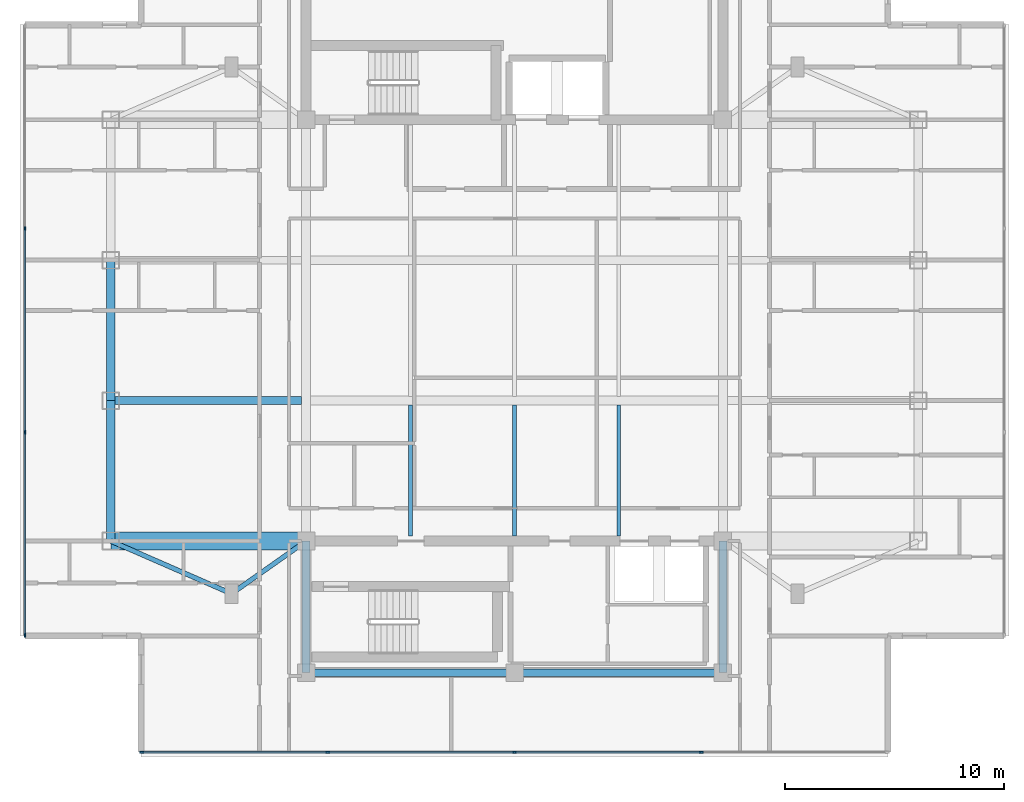
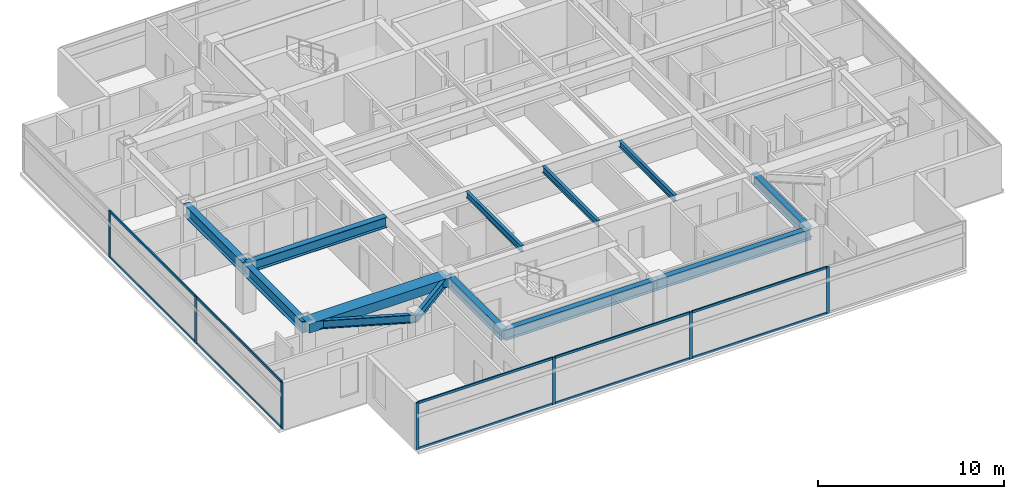
# One storey, part 2 of 14: 17 members, 13 beams, 2 elements without a shape of their own.
"""IFC4 building model written with IfcOpenShell, lengths in metres."""

from ifc_helpers import new_model, si_unit, direction, frame, origin, origin_2d, place, context, subcontext, project, spatial, rectangle, i_section, extrude, material, material_profile, profile_set, type_object, element, aggregate, save


model = new_model("IFC4")

# Units and contexts
model_context = context("Model", 3, precision=1e-05, world=origin(), true_north=direction((0.0, 1.0)))
body_context = subcontext(model_context, "Body", "Model", "MODEL_VIEW")
ifc_project = project(units=[si_unit("LENGTHUNIT", "METRE"), si_unit("AREAUNIT", "SQUARE_METRE"), si_unit("VOLUMEUNIT", "CUBIC_METRE"), si_unit("PLANEANGLEUNIT", "RADIAN"), si_unit("MASSUNIT", "GRAM", prefix="KILO")], contexts=[model_context])

# Site, building, storey
site_placement = place(None, origin())
site = spatial("IfcSite", under=ifc_project, at=site_placement, CompositionType="ELEMENT")
building_placement = place(site_placement, origin())
building = spatial("IfcBuilding", under=site, at=building_placement, Name="Mirazonda Arch Towers", CompositionType="ELEMENT")
storey_placement = place(building_placement, frame((0.0, 0.0, 245.800048828125)))
storey = spatial("IfcBuildingStorey", under=building, at=storey_placement, Name="L70", CompositionType="ELEMENT", Elevation=245.800048828125)

# Beams
ifc_material_1 = material(Name="Steel ASTM A992 Grade 50", Category="steel")
ifc_material_profile_1 = material_profile(ifc_material_1, i_section(OverallWidth=0.381103515625, OverallDepth=0.77294921875, WebThickness=0.0166015625, FlangeThickness=0.027099609375, at=origin_2d()), Name="W30X173")
ifc_profile_set_1 = profile_set([ifc_material_profile_1], Name="Steel ASTM A992 Grade 50")
beam_type_1 = type_object("IfcBeamType", Name="BM-EXT-W30X173", PredefinedType="USERDEFINED", material=ifc_profile_set_1)
beam_1_placement = place(storey_placement, frame((2.10009765625, 18.39990234375, 2.71337890625), z_axis=(0.0, 1.0, 0.0), x_axis=(-1.0, 0.0, 0.0)))
element("IfcBeam", 1, at=beam_1_placement, inside=storey, type_object=beam_type_1, Name="L70 Floor Beam BM-T1-L70-NS-W-18", ObjectType="GIRDER", PredefinedType="USERDEFINED", context=body_context, shape_type="SweptSolid", body=[
    extrude(i_section(OverallWidth=0.381103515625, OverallDepth=0.77294921875, WebThickness=0.0166015625, FlangeThickness=0.027099609375, at=origin_2d()), origin(), (0.0, 0.0, 1.0), 6.400146484375),
])
beam_2_placement = place(storey_placement, frame((2.10009765625, 24.800048828125, 2.71337890625), z_axis=(0.0, 1.0, 0.0), x_axis=(-1.0, 0.0, 0.0)))
element("IfcBeam", 2, at=beam_2_placement, inside=storey, type_object=beam_type_1, Name="L70 Floor Beam BM-T1-L70-NS-W-24", ObjectType="GIRDER", PredefinedType="USERDEFINED", context=body_context, shape_type="SweptSolid", body=[
    extrude(i_section(OverallWidth=0.381103515625, OverallDepth=0.77294921875, WebThickness=0.0166015625, FlangeThickness=0.027099609375, at=origin_2d()), origin(), (0.0, 0.0, 1.0), 6.39990234375),
])
ifc_material_profile_2 = material_profile(ifc_material_1, i_section(OverallWidth=0.180908203125, OverallDepth=0.4169921875, WebThickness=0.010986328125, FlangeThickness=0.018310546875, at=origin_2d()), Name="W16X57")
ifc_profile_set_2 = profile_set([ifc_material_profile_2], Name="Steel ASTM A992 Grade 50")
beam_type_2 = type_object("IfcBeamType", Name="BM-INT-W16X57", PredefinedType="JOIST", material=ifc_profile_set_2)
for number, where, z_axis, x_axis, name in (
    (3, (15.75, 18.639892578125, 2.891357421875), (0.0, 1.0, 0.0), (-1.0, 0.0, 0.0), "L70 Floor Beam BM-T1-L70-J-157-18"),
    (4, (20.5, 18.639892578125, 2.891357421875), (0.0, 1.0, 0.0), (-1.0, 0.0, 0.0), "L70 Floor Beam BM-T1-L70-J-205-18"),
    (5, (25.25, 18.639892578125, 2.891357421875), (0.0, 1.0, 0.0), (-1.0, 0.0, 0.0), "L70 Floor Beam BM-T1-L70-J-252-18"),
):
    element("IfcBeam", number, at=place(storey_placement, frame(where, z_axis=z_axis, x_axis=x_axis)), inside=storey, type_object=beam_type_2, Name=name, PredefinedType="JOIST", context=body_context, shape_type="SweptSolid", body=[
        extrude(i_section(OverallWidth=0.180908203125, OverallDepth=0.4169921875, WebThickness=0.010986328125, FlangeThickness=0.018310546875, at=origin_2d()), origin(), (0.0, 0.0, 1.0), 5.964111328125),
    ])
ifc_material_profile_3 = material_profile(ifc_material_1, i_section(OverallWidth=0.214111328125, OverallDepth=0.549072265625, WebThickness=0.0146484375, FlangeThickness=0.023681640625, at=origin_2d()), Name="W21X93")
ifc_profile_set_3 = profile_set([ifc_material_profile_3], Name="Steel ASTM A992 Grade 50")
beam_type_3 = type_object("IfcBeamType", Name="BM-INT-W21X93", PredefinedType="BEAM", material=ifc_profile_set_3)
beam_3_placement = place(storey_placement, frame((7.60009765625, 16.0, 2.825439453125), z_axis=(0.816971114901, 0.576678591087, 0.0), x_axis=(-0.576678591087, 0.816971114901, 0.0)))
element("IfcBeam", 6, at=beam_3_placement, inside=storey, type_object=beam_type_3, Name="L70 Floor Beam BM-T1-L70-PL-SW1", PredefinedType="BEAM", context=body_context, shape_type="SweptSolid", body=[
    extrude(i_section(OverallWidth=0.214111328125, OverallDepth=0.549072265625, WebThickness=0.0146484375, FlangeThickness=0.023681640625, at=origin_2d()), origin(), (0.0, 0.0, 1.0), 4.16162109375),
])
beam_4_placement = place(storey_placement, frame((7.60009765625, 16.0, 2.825439453125), z_axis=(-0.916545343703, 0.399930785183, 0.0), x_axis=(-0.399930785183, -0.916545343703, 0.0)))
element("IfcBeam", 7, at=beam_4_placement, inside=storey, type_object=beam_type_3, Name="L70 Floor Beam BM-T1-L70-PL-SW2", PredefinedType="BEAM", context=body_context, shape_type="SweptSolid", body=[
    extrude(i_section(OverallWidth=0.214111328125, OverallDepth=0.549072265625, WebThickness=0.0146484375, FlangeThickness=0.023681640625, at=origin_2d()), origin(), (0.0, 0.0, 1.0), 6.000732421875),
])
ifc_material_profile_4 = material_profile(ifc_material_1, i_section(OverallWidth=0.35498046875, OverallDepth=0.696044921875, WebThickness=0.015380859375, FlangeThickness=0.02490234375, at=origin_2d()), Name="W27X146")
ifc_profile_set_4 = profile_set([ifc_material_profile_4], Name="Steel ASTM A992 Grade 50")
beam_type_4 = type_object("IfcBeamType", Name="BM-INT-W27X146", PredefinedType="BEAM", material=ifc_profile_set_4)
beam_5_placement = place(storey_placement, frame((2.10009765625, 24.800048828125, 2.751953125), z_axis=(1.0, 0.0, 0.0), x_axis=(0.0, 1.0, 0.0)))
element("IfcBeam", 8, at=beam_5_placement, inside=storey, type_object=beam_type_4, Name="L70 Floor Beam BM-T1-L70-GW2", PredefinedType="BEAM", context=body_context, shape_type="SweptSolid", body=[
    extrude(i_section(OverallWidth=0.35498046875, OverallDepth=0.696044921875, WebThickness=0.015380859375, FlangeThickness=0.02490234375, at=origin_2d()), origin(), (0.0, 0.0, 1.0), 8.699951171875),
])
for number, where, z_axis, x_axis, name in (
    (9, (11.0, 12.39990234375, 2.751953125), (1.0, 0.0, 0.0), (0.0, 1.0, 0.0), "L70 Floor Beam BM-T1-L70-CS1"),
    (10, (20.5, 12.39990234375, 2.751953125), (1.0, 0.0, 0.0), (0.0, 1.0, 0.0), "L70 Floor Beam BM-T1-L70-CS2"),
):
    element("IfcBeam", number, at=place(storey_placement, frame(where, z_axis=z_axis, x_axis=x_axis)), inside=storey, type_object=beam_type_4, Name=name, PredefinedType="BEAM", context=body_context, shape_type="SweptSolid", body=[
        extrude(i_section(OverallWidth=0.35498046875, OverallDepth=0.696044921875, WebThickness=0.015380859375, FlangeThickness=0.02490234375, at=origin_2d()), origin(), (0.0, 0.0, 1.0), 9.5),
    ])
for number, where, z_axis, x_axis, name in (
    (11, (11.0, 12.39990234375, 2.751953125), (0.0, 1.0, 0.0), (-1.0, 0.0, 0.0), "L70 Floor Beam BM-T1-L70-CSW"),
    (12, (30.0, 12.39990234375, 2.751953125), (0.0, 1.0, 0.0), (-1.0, 0.0, 0.0), "L70 Floor Beam BM-T1-L70-CSE"),
):
    element("IfcBeam", number, at=place(storey_placement, frame(where, z_axis=z_axis, x_axis=x_axis)), inside=storey, type_object=beam_type_4, Name=name, PredefinedType="BEAM", context=body_context, shape_type="SweptSolid", body=[
        extrude(i_section(OverallWidth=0.35498046875, OverallDepth=0.696044921875, WebThickness=0.015380859375, FlangeThickness=0.02490234375, at=origin_2d()), origin(), (0.0, 0.0, 1.0), 6.0),
    ])
ifc_material_2 = material(Name="Concrete C60/75", Category="concrete")
ifc_material_profile_5 = material_profile(ifc_material_2, rectangle(XDim=0.800048828125, YDim=0.60009765625, at=origin_2d()), Name="RCCB800x600")
ifc_profile_set_5 = profile_set([ifc_material_profile_5], Name="Concrete C60/75")
beam_type_5 = type_object("IfcBeamType", Name="CB-INT-RCCB800x600", PredefinedType="SPANDREL", material=ifc_profile_set_5)
beam_6_placement = place(storey_placement, frame((2.10009765625, 18.39990234375, 2.800048828125), z_axis=(1.0, 0.0, 0.0), x_axis=(0.0, 1.0, 0.0)))
element("IfcBeam", 13, at=beam_6_placement, inside=storey, type_object=beam_type_5, Name="L70 Floor Beam CBC-T1-L70-SW", PredefinedType="SPANDREL", context=body_context, shape_type="SweptSolid", body=[
    extrude(rectangle(XDim=0.800048828125, YDim=0.60009765625, at=origin_2d()), origin(), (0.0, 0.0, 1.0), 8.89990234375),
])

# Curtain wall, members
ifc_material_3 = material(Name="Anodised Aluminium and Low-E Glass", Category="aluminium")
curtain_wall_type = type_object("IfcCurtainWallType", Name="CW-RES-UNIT", PredefinedType="NOTDEFINED", material=ifc_material_3)
curtain_wall_1_placement = place(storey_placement, origin())
curtain_wall_1 = element("IfcCurtainWall", 14, at=curtain_wall_1_placement, inside=storey, type_object=curtain_wall_type, Name="L70 T1 S Facade CW-L70-T1-S", PredefinedType="NOTDEFINED")
ifc_material_4 = material(Name="Anodised Aluminium Alloy", Category="aluminium")
ifc_material_profile_6 = material_profile(ifc_material_4, rectangle(XDim=0.074951171875, YDim=0.175048828125, at=origin_2d()), Name="ALU-MULL-75x175")
ifc_profile_set_6 = profile_set([ifc_material_profile_6], Name="Anodised Aluminium Alloy")
member_type_1 = type_object("IfcMemberType", Name="MULL-CW-RES-UNIT", PredefinedType="MULLION", material=ifc_profile_set_6)
member_1_placement = place(storey_placement, frame((29.014892578125, 8.77587890625, 0.0), z_axis=(0.0, 0.0, 1.0), x_axis=(0.0, -1.0, 0.0)))
member_1 = element("IfcMember", 15, at=member_1_placement, type_object=member_type_1, Name="CW-104 mullion 2", PredefinedType="MULLION", context=body_context, shape_type="SweptSolid", body=[
    extrude(rectangle(XDim=0.074951171875, YDim=0.175048828125, at=origin_2d()), origin(), (0.0, 0.0, 1.0), 3.079833984375),
])
member_2_placement = place(storey_placement, frame((20.5, 8.77587890625, 0.0), z_axis=(0.0, 0.0, 1.0), x_axis=(0.0, -1.0, 0.0)))
member_2 = element("IfcMember", 16, at=member_2_placement, type_object=member_type_1, Name="CW-104 mullion 3", PredefinedType="MULLION", context=body_context, shape_type="SweptSolid", body=[
    extrude(rectangle(XDim=0.074951171875, YDim=0.175048828125, at=origin_2d()), origin(), (0.0, 0.0, 1.0), 3.079833984375),
])
member_3_placement = place(storey_placement, frame((11.985107421875, 8.77587890625, 0.0), z_axis=(0.0, 0.0, 1.0), x_axis=(0.0, -1.0, 0.0)))
member_3 = element("IfcMember", 17, at=member_3_placement, type_object=member_type_1, Name="CW-104 mullion 4", PredefinedType="MULLION", context=body_context, shape_type="SweptSolid", body=[
    extrude(rectangle(XDim=0.074951171875, YDim=0.175048828125, at=origin_2d()), origin(), (0.0, 0.0, 1.0), 3.079833984375),
])
member_4_placement = place(storey_placement, frame((3.507568359375, 8.77587890625, 0.0), z_axis=(0.0, 0.0, 1.0), x_axis=(0.0, -1.0, 0.0)))
member_4 = element("IfcMember", 18, at=member_4_placement, type_object=member_type_1, Name="CW-104 mullion 5", PredefinedType="MULLION", context=body_context, shape_type="SweptSolid", body=[
    extrude(rectangle(XDim=0.074951171875, YDim=0.175048828125, at=origin_2d()), origin(), (0.0, 0.0, 1.0), 3.079833984375),
])

curtain_wall_2_placement = place(storey_placement, origin())
curtain_wall_2 = element("IfcCurtainWall", 19, at=curtain_wall_2_placement, inside=storey, type_object=curtain_wall_type, Name="L70 T1 W Facade CW-L70-T1-W", PredefinedType="NOTDEFINED")
member_5_placement = place(storey_placement, frame((-1.820068359375, 32.644775390625, 0.0), z_axis=(0.0, 0.0, 1.0), x_axis=(1.0, 0.0, 0.0)))
member_5 = element("IfcMember", 20, at=member_5_placement, type_object=member_type_1, Name="CW-104 mullion 2", PredefinedType="MULLION", context=body_context, shape_type="SweptSolid", body=[
    extrude(rectangle(XDim=0.074951171875, YDim=0.175048828125, at=origin_2d()), origin(), (0.0, 0.0, 1.0), 3.079833984375),
])
member_6_placement = place(storey_placement, frame((-1.820068359375, 23.355224609375, 0.0), z_axis=(0.0, 0.0, 1.0), x_axis=(1.0, 0.0, 0.0)))
member_6 = element("IfcMember", 21, at=member_6_placement, type_object=member_type_1, Name="CW-104 mullion 3", PredefinedType="MULLION", context=body_context, shape_type="SweptSolid", body=[
    extrude(rectangle(XDim=0.074951171875, YDim=0.175048828125, at=origin_2d()), origin(), (0.0, 0.0, 1.0), 3.079833984375),
])
member_7_placement = place(storey_placement, frame((-1.820068359375, 14.103515625, 0.0), z_axis=(0.0, 0.0, 1.0), x_axis=(1.0, 0.0, 0.0)))
member_7 = element("IfcMember", 22, at=member_7_placement, type_object=member_type_1, Name="CW-104 mullion 4", PredefinedType="MULLION", context=body_context, shape_type="SweptSolid", body=[
    extrude(rectangle(XDim=0.074951171875, YDim=0.175048828125, at=origin_2d()), origin(), (0.0, 0.0, 1.0), 3.079833984375),
])

# Member
ifc_material_profile_7 = material_profile(ifc_material_4, rectangle(XDim=0.074951171875, YDim=0.155029296875, at=origin_2d()), Name="ALU-TRAN-75x155")
ifc_profile_set_7 = profile_set([ifc_material_profile_7], Name="Anodised Aluminium Alloy")
member_type_2 = type_object("IfcMemberType", Name="TRAN-CW-RES-UNIT", PredefinedType="USERDEFINED", material=ifc_profile_set_7)
member_8_placement = place(storey_placement, frame((28.9775390625, 8.77587890625, 0.037353515625), z_axis=(-1.0, 0.0, 0.0), x_axis=(0.0, -1.0, 0.0)))
member_8 = element("IfcMember", 23, at=member_8_placement, type_object=member_type_2, Name="CW-104 transom 2.1", ObjectType="TRANSOM", PredefinedType="USERDEFINED", context=body_context, shape_type="SweptSolid", body=[
    extrude(rectangle(XDim=0.074951171875, YDim=0.155029296875, at=origin_2d()), origin(), (0.0, 0.0, 1.0), 8.43994140625),
])

member_9_placement = place(storey_placement, frame((28.9775390625, 8.77587890625, 3.04248046875), z_axis=(-1.0, 0.0, 0.0), x_axis=(0.0, -1.0, 0.0)))
member_9 = element("IfcMember", 24, at=member_9_placement, type_object=member_type_2, Name="CW-104 transom 2.2", ObjectType="TRANSOM", PredefinedType="USERDEFINED", context=body_context, shape_type="SweptSolid", body=[
    extrude(rectangle(XDim=0.074951171875, YDim=0.155029296875, at=origin_2d()), origin(), (0.0, 0.0, 1.0), 8.43994140625),
])

member_10_placement = place(storey_placement, frame((20.46240234375, 8.77587890625, 0.037353515625), z_axis=(-1.0, 0.0, 0.0), x_axis=(0.0, -1.0, 0.0)))
member_10 = element("IfcMember", 25, at=member_10_placement, type_object=member_type_2, Name="CW-104 transom 3.1", ObjectType="TRANSOM", PredefinedType="USERDEFINED", context=body_context, shape_type="SweptSolid", body=[
    extrude(rectangle(XDim=0.074951171875, YDim=0.155029296875, at=origin_2d()), origin(), (0.0, 0.0, 1.0), 8.43994140625),
])

member_11_placement = place(storey_placement, frame((20.46240234375, 8.77587890625, 3.04248046875), z_axis=(-1.0, 0.0, 0.0), x_axis=(0.0, -1.0, 0.0)))
member_11 = element("IfcMember", 26, at=member_11_placement, type_object=member_type_2, Name="CW-104 transom 3.2", ObjectType="TRANSOM", PredefinedType="USERDEFINED", context=body_context, shape_type="SweptSolid", body=[
    extrude(rectangle(XDim=0.074951171875, YDim=0.155029296875, at=origin_2d()), origin(), (0.0, 0.0, 1.0), 8.43994140625),
])

member_12_placement = place(storey_placement, frame((11.947509765625, 8.77587890625, 0.037353515625), z_axis=(-1.0, 0.0, 0.0), x_axis=(0.0, -1.0, 0.0)))
member_12 = element("IfcMember", 27, at=member_12_placement, type_object=member_type_2, Name="CW-104 transom 4.1", ObjectType="TRANSOM", PredefinedType="USERDEFINED", context=body_context, shape_type="SweptSolid", body=[
    extrude(rectangle(XDim=0.074951171875, YDim=0.155029296875, at=origin_2d()), origin(), (0.0, 0.0, 1.0), 8.402587890625),
])

member_13_placement = place(storey_placement, frame((11.947509765625, 8.77587890625, 3.04248046875), z_axis=(-1.0, 0.0, 0.0), x_axis=(0.0, -1.0, 0.0)))
member_13 = element("IfcMember", 28, at=member_13_placement, type_object=member_type_2, Name="CW-104 transom 4.2", ObjectType="TRANSOM", PredefinedType="USERDEFINED", context=body_context, shape_type="SweptSolid", body=[
    extrude(rectangle(XDim=0.074951171875, YDim=0.155029296875, at=origin_2d()), origin(), (0.0, 0.0, 1.0), 8.402587890625),
])

aggregate(curtain_wall_1, [member_1, member_2, member_3, member_4, member_8, member_9, member_10, member_11, member_12, member_13])

member_14_placement = place(storey_placement, frame((-1.820068359375, 32.607177734375, 0.037353515625), z_axis=(0.0, -1.0, 0.0), x_axis=(1.0, 0.0, 0.0)))
member_14 = element("IfcMember", 29, at=member_14_placement, type_object=member_type_2, Name="CW-104 transom 2.1", ObjectType="TRANSOM", PredefinedType="USERDEFINED", context=body_context, shape_type="SweptSolid", body=[
    extrude(rectangle(XDim=0.074951171875, YDim=0.155029296875, at=origin_2d()), origin(), (0.0, 0.0, 1.0), 9.21435546875),
])

member_15_placement = place(storey_placement, frame((-1.820068359375, 32.607177734375, 3.04248046875), z_axis=(0.0, -1.0, 0.0), x_axis=(1.0, 0.0, 0.0)))
member_15 = element("IfcMember", 30, at=member_15_placement, type_object=member_type_2, Name="CW-104 transom 2.2", ObjectType="TRANSOM", PredefinedType="USERDEFINED", context=body_context, shape_type="SweptSolid", body=[
    extrude(rectangle(XDim=0.074951171875, YDim=0.155029296875, at=origin_2d()), origin(), (0.0, 0.0, 1.0), 9.21435546875),
])

member_16_placement = place(storey_placement, frame((-1.820068359375, 23.31787109375, 0.037353515625), z_axis=(0.0, -1.0, 0.0), x_axis=(1.0, 0.0, 0.0)))
member_16 = element("IfcMember", 31, at=member_16_placement, type_object=member_type_2, Name="CW-104 transom 3.1", ObjectType="TRANSOM", PredefinedType="USERDEFINED", context=body_context, shape_type="SweptSolid", body=[
    extrude(rectangle(XDim=0.074951171875, YDim=0.155029296875, at=origin_2d()), origin(), (0.0, 0.0, 1.0), 9.1767578125),
])

member_17_placement = place(storey_placement, frame((-1.820068359375, 23.31787109375, 3.04248046875), z_axis=(0.0, -1.0, 0.0), x_axis=(1.0, 0.0, 0.0)))
member_17 = element("IfcMember", 32, at=member_17_placement, type_object=member_type_2, Name="CW-104 transom 3.2", ObjectType="TRANSOM", PredefinedType="USERDEFINED", context=body_context, shape_type="SweptSolid", body=[
    extrude(rectangle(XDim=0.074951171875, YDim=0.155029296875, at=origin_2d()), origin(), (0.0, 0.0, 1.0), 9.1767578125),
])

aggregate(curtain_wall_2, [member_5, member_6, member_7, member_14, member_15, member_16, member_17])

save(model, "model.ifc")
